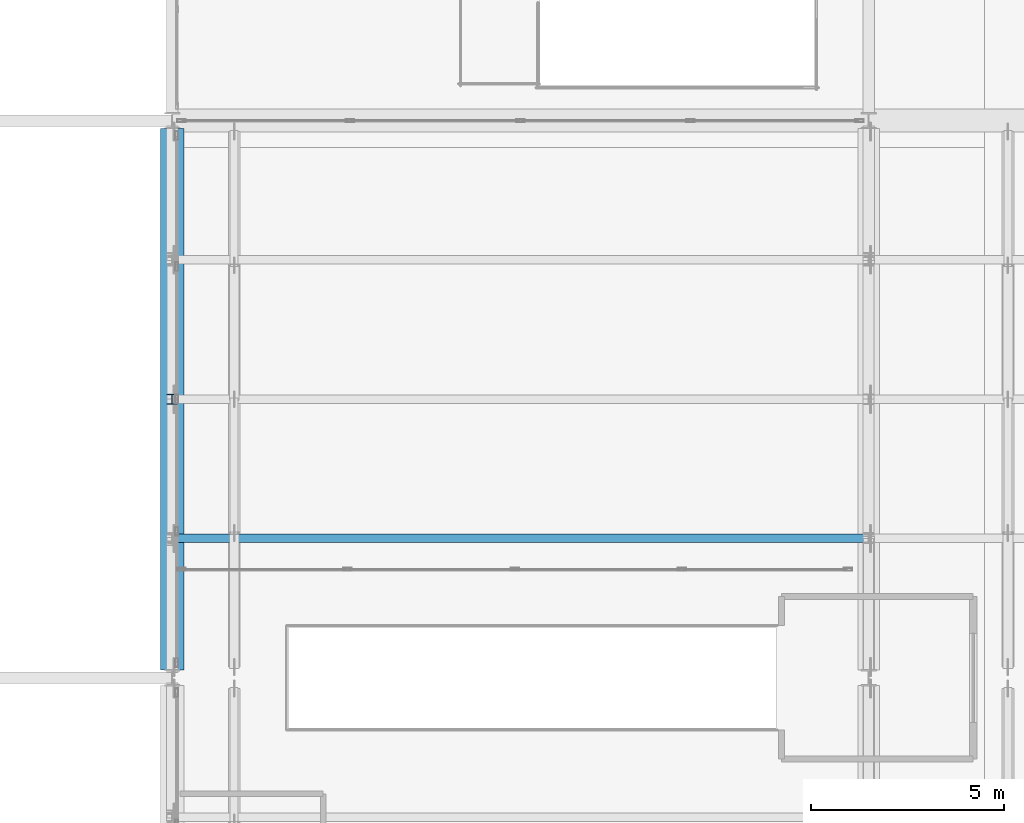
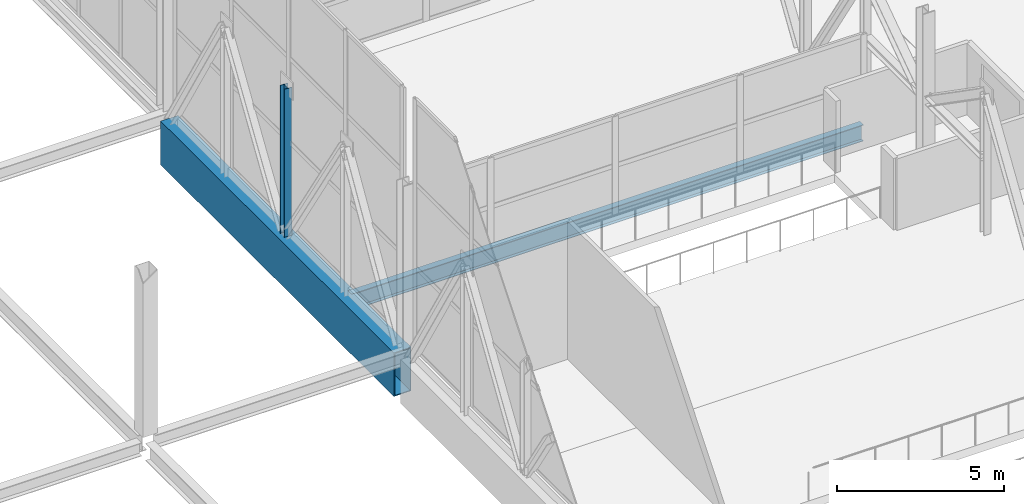
# One storey, part 74 of 191: 2 beams, 1 member.
"""IFC4 building model written with IfcOpenShell, lengths in metres."""

from ifc_helpers import new_model, si_unit, direction, frame, origin, origin_2d, place, context, subcontext, project, spatial, hollow_rectangle, i_section, extrude, material, material_profile, profile_set, type_object, element, save


model = new_model("IFC4")

# Units and contexts
model_context = context("Model", 3, precision=1e-05, world=origin(), true_north=direction((0.0, 1.0)))
body_context = subcontext(model_context, "Body", "Model", "MODEL_VIEW")
ifc_project = project(units=[si_unit("LENGTHUNIT", "METRE"), si_unit("AREAUNIT", "SQUARE_METRE"), si_unit("VOLUMEUNIT", "CUBIC_METRE"), si_unit("PLANEANGLEUNIT", "RADIAN"), si_unit("MASSUNIT", "GRAM", prefix="KILO")], contexts=[model_context])

# Site, building, storey
site_placement = place(None, origin())
site = spatial("IfcSite", under=ifc_project, at=site_placement, CompositionType="ELEMENT")
building_placement = place(site_placement, origin())
building = spatial("IfcBuilding", under=site, at=building_placement, Name="Tamarisk Ironworks Central Station", CompositionType="ELEMENT")
storey_placement = place(building_placement, frame((0.0, 0.0, 6.60009765625)))
storey = spatial("IfcBuildingStorey", under=building, at=storey_placement, Name="L01", CompositionType="ELEMENT", Elevation=6.60009765625)

# Beams
ifc_material = material(Name="Structural steel S355J2", Category="steel")
ifc_material_profile_1 = material_profile(ifc_material, i_section(OverallWidth=0.219970703125, OverallDepth=0.60009765625, WebThickness=0.011962890625, FlangeThickness=0.01904296875, at=origin_2d()), Name="IPE 600")
ifc_profile_set_1 = profile_set([ifc_material_profile_1], Name="Structural steel S355J2")
beam_type_1 = type_object("IfcBeamType", Name="BM-B01", PredefinedType="BEAM", material=ifc_profile_set_1)
beam_1_placement = place(storey_placement, frame((54.135009765625, 68.39990234375, -0.60009765625), z_axis=(1.0, 0.0, 0.0), x_axis=(0.0, 1.0, 0.0)))
element("IfcBeam", 1, at=beam_1_placement, inside=storey, type_object=beam_type_1, Name="L01 secondary composite beam 0010", PredefinedType="BEAM", context=body_context, shape_type="SweptSolid", body=[
    extrude(i_section(OverallWidth=0.219970703125, OverallDepth=0.60009765625, WebThickness=0.011962890625, FlangeThickness=0.01904296875, at=origin_2d()), origin(), (0.0, 0.0, 1.0), 17.72998046875),
])
ifc_material_profile_2 = material_profile(ifc_material, hollow_rectangle(XDim=0.60009765625, YDim=1.60009765625, WallThickness=0.031982421875, at=origin_2d()), Name="BOX 600x1600x32")
ifc_profile_set_2 = profile_set([ifc_material_profile_2], Name="Structural steel S355J2")
beam_type_2 = type_object("IfcBeamType", Name="BM-TG01", PredefinedType="USERDEFINED", material=ifc_profile_set_2)
beam_2_placement = place(storey_placement, frame((54.0, 65.00048828125, -1.10009765625), z_axis=(0.0, 1.0, 0.0), x_axis=(-1.0, 0.0, 0.0)))
element("IfcBeam", 2, at=beam_2_placement, inside=storey, type_object=beam_type_2, Name="L01 primary girder Y-0211", ObjectType="TRANSFER GIRDER", PredefinedType="USERDEFINED", context=body_context, shape_type="SweptSolid", body=[
    extrude(hollow_rectangle(XDim=0.60009765625, YDim=1.60009765625, WallThickness=0.031982421875, at=origin_2d()), origin(), (0.0, 0.0, 1.0), 13.9990234375),
])

# Member
ifc_material_profile_3 = material_profile(ifc_material, i_section(OverallWidth=0.260009765625, OverallDepth=0.260009765625, WebThickness=0.010009765625, FlangeThickness=0.017578125, at=origin_2d()), Name="HEB 260")
ifc_profile_set_3 = profile_set([ifc_material_profile_3], Name="Structural steel S355J2")
member_type = type_object("IfcMemberType", Name="MB-TTP01", PredefinedType="POST", material=ifc_profile_set_3)
member_placement = place(storey_placement, frame((54.0, 72.0, -0.340087890625), z_axis=(0.0, 0.0, 1.0), x_axis=(1.0, 0.0, 0.0)))
element("IfcMember", 3, at=member_placement, inside=storey, type_object=member_type, Name="Transfer truss vertical post 026", PredefinedType="POST", context=body_context, shape_type="SweptSolid", body=[
    extrude(i_section(OverallWidth=0.260009765625, OverallDepth=0.260009765625, WebThickness=0.010009765625, FlangeThickness=0.017578125, at=origin_2d()), origin(), (0.0, 0.0, 1.0), 5.4599609375),
])

save(model, "model.ifc")
